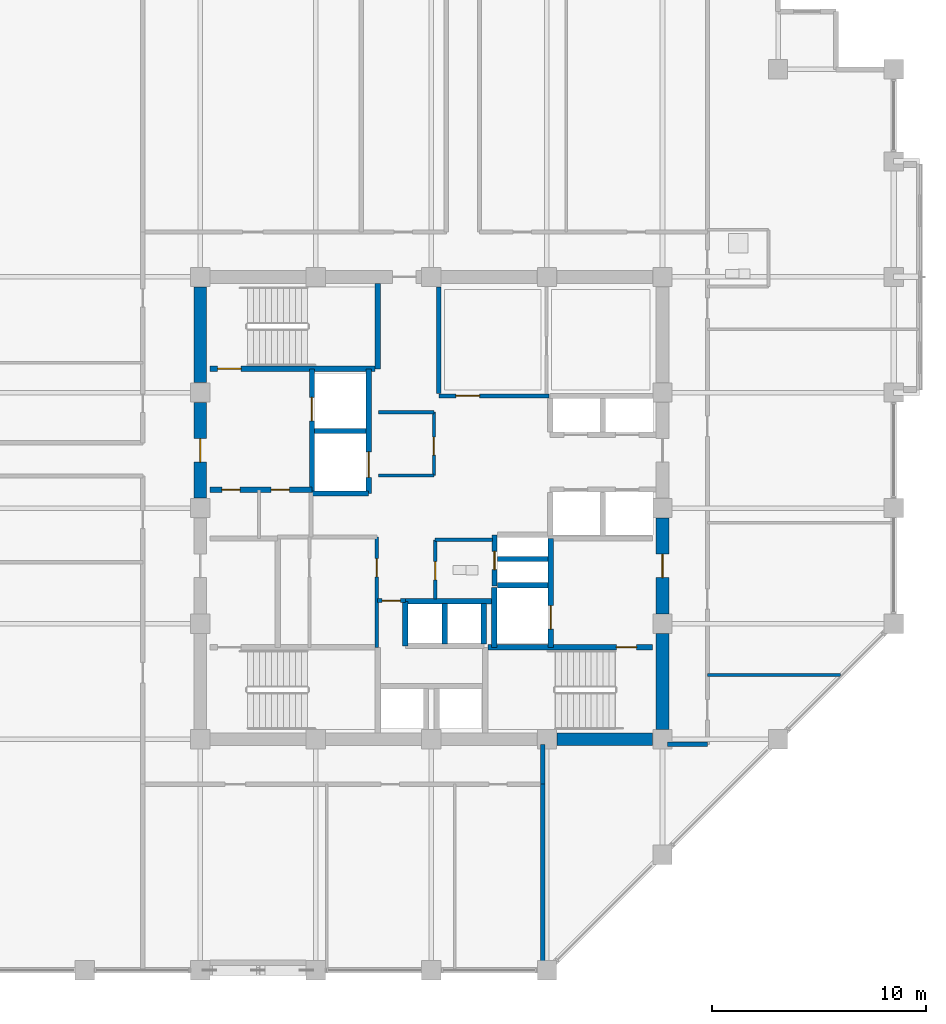
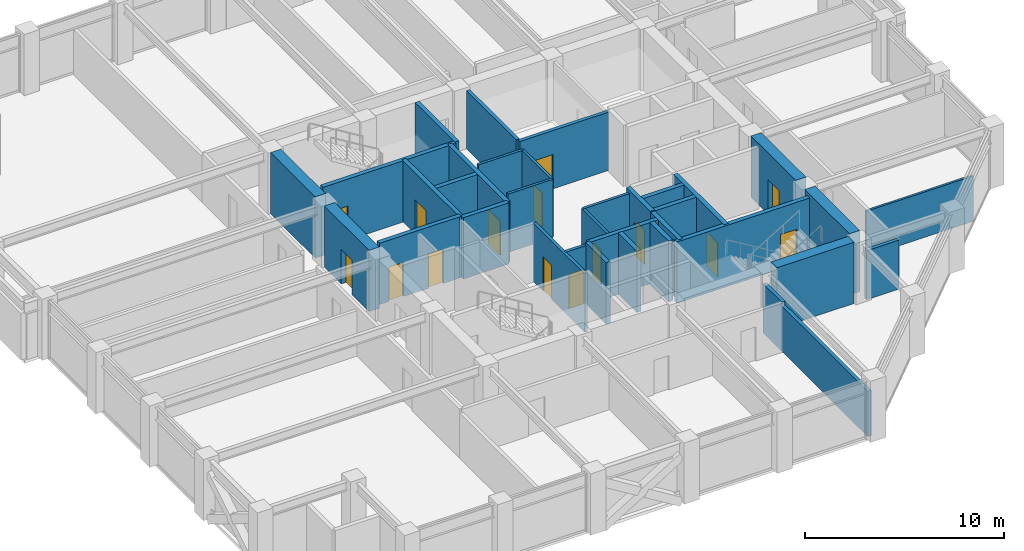
# One storey, part 27 of 32: 35 walls, 15 doors, 15 openings.
"""IFC4 building model written with IfcOpenShell, lengths in metres."""

from ifc_helpers import new_model, si_unit, direction, frame, frame_2d, origin, place, context, subcontext, project, spatial, rectangle, extrude, material, layer, layer_set, type_object, element, fill, save


model = new_model("IFC4")

# Units and contexts
model_context = context("Model", 3, precision=1e-05, world=origin(), true_north=direction((0.0, 1.0)))
body_context = subcontext(model_context, "Body", "Model", "MODEL_VIEW")
ifc_project = project(units=[si_unit("LENGTHUNIT", "METRE"), si_unit("AREAUNIT", "SQUARE_METRE"), si_unit("VOLUMEUNIT", "CUBIC_METRE"), si_unit("PLANEANGLEUNIT", "RADIAN"), si_unit("MASSUNIT", "GRAM", prefix="KILO")], contexts=[model_context])

# Site, building, storey
site_placement = place(None, origin())
site = spatial("IfcSite", under=ifc_project, at=site_placement, CompositionType="ELEMENT")
building_placement = place(site_placement, origin())
building = spatial("IfcBuilding", under=site, at=building_placement, Name="Surkhivell Harbour Commons", CompositionType="ELEMENT")
storey_placement = place(building_placement, frame((0.0, 0.0, 186.0)))
storey = spatial("IfcBuildingStorey", under=building, at=storey_placement, Name="L48", CompositionType="ELEMENT", Elevation=186.0)

# Wall
ifc_material_1 = material(Name="Concrete C60/75", Category="concrete")
ifc_layer_1 = layer(ifc_material_1, 0.60009765625)
ifc_layer_set_1 = layer_set([ifc_layer_1], Name="Concrete C60/75")
wall_type_1 = type_object("IfcWallType", Name="WAL-CORE-600", PredefinedType="SHEAR", material=ifc_layer_set_1)
wall_1_placement = place(storey_placement, frame((10.800048828125, -10.340087890625, 0.0), z_axis=(0.0, 0.0, 1.0), x_axis=(0.0, 1.0, 0.0)))
element("IfcWall", 1, at=wall_1_placement, inside=storey, type_object=wall_type_1, Name="L48 Core Shear Wall East 1", PredefinedType="SHEAR", context=body_context, shape_type="SweptSolid", body=[
    extrude(rectangle(XDim=4.47998046875, YDim=0.60009765625, at=frame_2d((2.239990234375, 0.0))), origin(), (0.0, 0.0, 1.0), 3.75),
])

# Wall, opening, door
wall_2_placement = place(storey_placement, frame((10.800048828125, -4.93994140625, 0.0), z_axis=(0.0, 0.0, 1.0), x_axis=(0.0, 1.0, 0.0)))
wall_2 = element("IfcWall", 2, at=wall_2_placement, inside=storey, type_object=wall_type_1, Name="L48 Core Shear Wall East 2", PredefinedType="SHEAR", context=body_context, shape_type="SweptSolid", body=[
    extrude(rectangle(XDim=4.47998046875, YDim=0.60009765625, at=frame_2d((2.239990234375, 0.0))), origin(), (0.0, 0.0, 1.0), 3.75),
])
opening_1_placement = place(wall_2_placement, frame((1.68994140625, 0.0, 0.0)))
opening_1 = element("IfcOpeningElement", 3, at=opening_1_placement, cuts=wall_2, Name="Opening ID-1", PredefinedType="OPENING", context=body_context, shape_type="SweptSolid", body=[
    extrude(rectangle(XDim=1.10009765625, YDim=2.10009765625, at=frame_2d((0.550048828125, 1.050048828125))), frame((0.0, 0.31005859375, 0.0), z_axis=(0.0, -1.0, 0.0), x_axis=(1.0, 0.0, 0.0)), (0.0, 0.0, 1.0), 0.6201171875),
])
ifc_material_2 = material(Name="Hardwood-veneered fire-rated door leaf", Category="wood")
door_type_1 = type_object("IfcDoorType", Name="DOR-FD120-1100", OperationType="NOTDEFINED", PredefinedType="DOOR", material=ifc_material_2)
door_1_placement = place(opening_1_placement, origin())
door_1 = element("IfcDoor", 4, at=door_1_placement, inside=storey, type_object=door_type_1, Name="L48 Firefighting Lobby 2 Corridor Door", OperationType="SINGLE_SWING_RIGHT", OverallHeight=2.10009765625, OverallWidth=1.10009765625, PredefinedType="DOOR", context=body_context, shape_type="SweptSolid", body=[
    extrude(rectangle(XDim=1.10009765625, YDim=2.10009765625, at=frame_2d((0.550048828125, 1.050048828125))), frame((0.0, 0.02490234375, 0.0), z_axis=(0.0, -1.0, 0.0), x_axis=(1.0, 0.0, 0.0)), (0.0, 0.0, 1.0), 0.050048828125),
])
fill(opening_1, door_1)

wall_3_placement = place(storey_placement, frame((-10.800048828125, 0.4599609375, 0.0), z_axis=(0.0, 0.0, 1.0), x_axis=(0.0, 1.0, 0.0)))
wall_3 = element("IfcWall", 5, at=wall_3_placement, inside=storey, type_object=wall_type_1, Name="L48 Core Shear Wall West 3", PredefinedType="SHEAR", context=body_context, shape_type="SweptSolid", body=[
    extrude(rectangle(XDim=4.47998046875, YDim=0.60009765625, at=frame_2d((2.239990234375, 0.0))), origin(), (0.0, 0.0, 1.0), 3.75),
])
opening_2_placement = place(wall_3_placement, frame((1.68994140625, 0.0, 0.0)))
opening_2 = element("IfcOpeningElement", 6, at=opening_2_placement, cuts=wall_3, Name="Opening ID-1", PredefinedType="OPENING", context=body_context, shape_type="SweptSolid", body=[
    extrude(rectangle(XDim=1.10009765625, YDim=2.10009765625, at=frame_2d((0.550048828125, 1.050048828125))), frame((0.0, 0.31005859375, 0.0), z_axis=(0.0, -1.0, 0.0), x_axis=(1.0, 0.0, 0.0)), (0.0, 0.0, 1.0), 0.6201171875),
])
door_2_placement = place(opening_2_placement, origin())
door_2 = element("IfcDoor", 7, at=door_2_placement, inside=storey, type_object=door_type_1, Name="L48 Firefighting Lobby 1 Corridor Door", OperationType="SINGLE_SWING_LEFT", OverallHeight=2.10009765625, OverallWidth=1.10009765625, PredefinedType="DOOR", context=body_context, shape_type="SweptSolid", body=[
    extrude(rectangle(XDim=1.10009765625, YDim=2.10009765625, at=frame_2d((0.550048828125, 1.050048828125))), frame((0.0, 0.02490234375, 0.0), z_axis=(0.0, -1.0, 0.0), x_axis=(1.0, 0.0, 0.0)), (0.0, 0.0, 1.0), 0.050048828125),
])
fill(opening_2, door_2)

# Walls
for number, where, z_axis, x_axis, name in (
    (8, (5.860107421875, -10.800048828125, 0.0), (0.0, 0.0, 1.0), (1.0, 0.0, 0.0), "L48 Core Shear Wall South 4"),
    (9, (-10.800048828125, 5.860107421875, 0.0), (0.0, 0.0, 1.0), (0.0, 1.0, 0.0), "L48 Core Shear Wall West 4"),
):
    element("IfcWall", number, at=place(storey_placement, frame(where, z_axis=z_axis, x_axis=x_axis)), inside=storey, type_object=wall_type_1, Name=name, PredefinedType="SHEAR", context=body_context, shape_type="SweptSolid", body=[
        extrude(rectangle(XDim=4.47998046875, YDim=0.60009765625, at=frame_2d((2.239990234375, 0.0))), origin(), (0.0, 0.0, 1.0), 3.75),
    ])
ifc_material_3 = material(Name="Moisture-resistant acoustic stud partition", Category="other")
ifc_layer_2 = layer(ifc_material_3, 0.125)
ifc_layer_set_2 = layer_set([ifc_layer_2], Name="Moisture-resistant acoustic stud partition")
wall_type_2 = type_object("IfcWallType", Name="WAL-INT-125", PredefinedType="PARTITIONING", material=ifc_layer_set_2)
wall_4_placement = place(storey_placement, frame((12.89990234375, -7.800048828125, 0.0), z_axis=(0.0, 0.0, 1.0), x_axis=(1.0, 0.0, 0.0)))
element("IfcWall", 10, at=wall_4_placement, inside=storey, type_object=wall_type_2, Name="L48 East Partition PBOT", PredefinedType="PARTITIONING", context=body_context, shape_type="SweptSolid", body=[
    extrude(rectangle(XDim=6.21533203125, YDim=0.125, at=frame_2d((3.107666015625, 0.0))), origin(), (0.0, 0.0, 1.0), 2.780029296875),
])
ifc_material_4 = material(Name="Twin-stud acoustic fireboard partition", Category="other")
ifc_layer_3 = layer(ifc_material_4, 0.14990234375)
ifc_layer_set_3 = layer_set([ifc_layer_3], Name="Twin-stud acoustic fireboard partition")
wall_type_3 = type_object("IfcWallType", Name="WAL-INT-150", PredefinedType="PARTITIONING", material=ifc_layer_set_3)
wall_5_placement = place(storey_placement, frame((0.179931640625, -1.47998046875, 0.0), z_axis=(0.0, 0.0, 1.0), x_axis=(1.0, 0.0, 0.0)))
element("IfcWall", 11, at=wall_5_placement, inside=storey, type_object=wall_type_3, Name="L48 Core Accessible WC North Wall", PredefinedType="PARTITIONING", context=body_context, shape_type="SweptSolid", body=[
    extrude(rectangle(XDim=2.670166015625, YDim=0.14990234375, at=frame_2d((1.3349609375, 0.0))), origin(), (0.0, 0.0, 1.0), 3.570068359375),
])

# Wall, opening, door
wall_6_placement = place(storey_placement, frame((0.179931640625, -4.25, 0.0), z_axis=(0.0, 0.0, 1.0), x_axis=(0.0, 1.0, 0.0)))
wall_6 = element("IfcWall", 12, at=wall_6_placement, inside=storey, type_object=wall_type_3, Name="L48 Core Accessible WC West Wall", PredefinedType="PARTITIONING", context=body_context, shape_type="SweptSolid", body=[
    extrude(rectangle(XDim=2.77001953125, YDim=0.14990234375, at=frame_2d((1.385009765625, 0.0))), origin(), (0.0, 0.0, 1.0), 3.570068359375),
])
opening_3_placement = place(wall_6_placement, frame((0.89990234375, 0.0, 0.0)))
opening_3 = element("IfcOpeningElement", 13, at=opening_3_placement, cuts=wall_6, Name="Opening ID-6", PredefinedType="OPENING", context=body_context, shape_type="SweptSolid", body=[
    extrude(rectangle(XDim=0.85009765625, YDim=2.10009765625, at=frame_2d((0.425048828125, 1.050048828125))), frame((0.0, 0.0849609375, 0.0), z_axis=(0.0, -1.0, 0.0), x_axis=(1.0, 0.0, 0.0)), (0.0, 0.0, 1.0), 0.169921875),
])
door_type_2 = type_object("IfcDoorType", Name="DOR-FD30-850", OperationType="NOTDEFINED", PredefinedType="DOOR", material=ifc_material_2)
door_3_placement = place(opening_3_placement, origin())
door_3 = element("IfcDoor", 14, at=door_3_placement, inside=storey, type_object=door_type_2, Name="L48 Floor Accessible WC Door", OperationType="SINGLE_SWING_LEFT", OverallHeight=2.10009765625, OverallWidth=0.85009765625, PredefinedType="DOOR", context=body_context, shape_type="SweptSolid", body=[
    extrude(rectangle(XDim=0.85009765625, YDim=2.10009765625, at=frame_2d((0.425048828125, 1.050048828125))), frame((0.0, 0.02490234375, 0.0), z_axis=(0.0, -1.0, 0.0), x_axis=(1.0, 0.0, 0.0)), (0.0, 0.0, 1.0), 0.050048828125),
])
fill(opening_3, door_3)

wall_7_placement = place(storey_placement, frame((0.1201171875, 1.52001953125, 0.0), z_axis=(0.0, 0.0, 1.0), x_axis=(0.0, 1.0, 0.0)))
wall_7 = element("IfcWall", 15, at=wall_7_placement, inside=storey, type_object=wall_type_3, Name="L48 Central Reading East Wall", PredefinedType="PARTITIONING", context=body_context, shape_type="SweptSolid", body=[
    extrude(rectangle(XDim=2.9599609375, YDim=0.14990234375, at=frame_2d((1.47998046875, 0.0))), origin(), (0.0, 0.0, 1.0), 3.570068359375),
])
opening_4_placement = place(wall_7_placement, frame((0.949951171875, 0.0, 0.0)))
opening_4 = element("IfcOpeningElement", 16, at=opening_4_placement, cuts=wall_7, Name="Opening ID-6", PredefinedType="OPENING", context=body_context, shape_type="SweptSolid", body=[
    extrude(rectangle(XDim=0.85009765625, YDim=2.10009765625, at=frame_2d((0.425048828125, 1.050048828125))), frame((0.0, 0.0849609375, 0.0), z_axis=(0.0, -1.0, 0.0), x_axis=(1.0, 0.0, 0.0)), (0.0, 0.0, 1.0), 0.169921875),
])
door_4_placement = place(opening_4_placement, origin())
door_4 = element("IfcDoor", 17, at=door_4_placement, inside=storey, type_object=door_type_2, Name="L48 Central Core Reading Door", OperationType="SINGLE_SWING_RIGHT", OverallHeight=2.10009765625, OverallWidth=0.85009765625, PredefinedType="DOOR", context=body_context, shape_type="SweptSolid", body=[
    extrude(rectangle(XDim=0.85009765625, YDim=2.10009765625, at=frame_2d((0.425048828125, 1.050048828125))), frame((0.0, 0.02490234375, 0.0), z_axis=(0.0, -1.0, 0.0), x_axis=(1.0, 0.0, 0.0)), (0.0, 0.0, 1.0), 0.050048828125),
])
fill(opening_4, door_4)

# Walls
for number, where, z_axis, x_axis, name in (
    (18, (-2.47998046875, 4.47998046875, 0.0), (0.0, 0.0, 1.0), (1.0, 0.0, 0.0), "L48 Central Reading North Wall"),
    (19, (-2.47998046875, 1.52001953125, 0.0), (0.0, 0.0, 1.0), (1.0, 0.0, 0.0), "L48 Central Reading South Wall"),
):
    element("IfcWall", number, at=place(storey_placement, frame(where, z_axis=z_axis, x_axis=x_axis)), inside=storey, type_object=wall_type_3, Name=name, PredefinedType="PARTITIONING", context=body_context, shape_type="SweptSolid", body=[
        extrude(rectangle(XDim=2.60009765625, YDim=0.14990234375, at=frame_2d((1.300048828125, 0.0))), origin(), (0.0, 0.0, 1.0), 3.570068359375),
    ])

# Wall, opening, door
ifc_material_5 = material(Name="High-density acoustic blockwork fire partition", Category="masonry")
ifc_layer_4 = layer(ifc_material_5, 0.175048828125)
ifc_layer_set_4 = layer_set([ifc_layer_4], Name="High-density acoustic blockwork fire partition")
wall_type_4 = type_object("IfcWallType", Name="WAL-INT-175", PredefinedType="PARTITIONING", material=ifc_layer_set_4)
wall_8_placement = place(storey_placement, frame((-2.550048828125, -6.510009765625, 0.0), z_axis=(0.0, 0.0, 1.0), x_axis=(0.0, 1.0, 0.0)))
wall_8 = element("IfcWall", 20, at=wall_8_placement, inside=storey, type_object=wall_type_4, Name="L48 Core Service Bay East Wall", PredefinedType="PARTITIONING", context=body_context, shape_type="SweptSolid", body=[
    extrude(rectangle(XDim=5.159912109375, YDim=0.175048828125, at=frame_2d((2.580078125, 0.0))), origin(), (0.0, 0.0, 1.0), 3.570068359375),
])
opening_5_placement = place(wall_8_placement, frame((3.300048828125, 0.0, 0.0)))
opening_5 = element("IfcOpeningElement", 21, at=opening_5_placement, cuts=wall_8, Name="Opening ID-6", PredefinedType="OPENING", context=body_context, shape_type="SweptSolid", body=[
    extrude(rectangle(XDim=0.85009765625, YDim=2.10009765625, at=frame_2d((0.425048828125, 1.050048828125))), frame((0.0, 0.097412109375, 0.0), z_axis=(0.0, -1.0, 0.0), x_axis=(1.0, 0.0, 0.0)), (0.0, 0.0, 1.0), 0.195068359375),
])
door_5_placement = place(opening_5_placement, origin())
door_5 = element("IfcDoor", 22, at=door_5_placement, inside=storey, type_object=door_type_2, Name="L48 Core Music Door", OperationType="SINGLE_SWING_LEFT", OverallHeight=2.10009765625, OverallWidth=0.85009765625, PredefinedType="DOOR", context=body_context, shape_type="SweptSolid", body=[
    extrude(rectangle(XDim=0.85009765625, YDim=2.10009765625, at=frame_2d((0.425048828125, 1.050048828125))), frame((0.0, 0.02490234375, 0.0), z_axis=(0.0, -1.0, 0.0), x_axis=(1.0, 0.0, 0.0)), (0.0, 0.0, 1.0), 0.050048828125),
])
fill(opening_5, door_5)

wall_9_placement = place(storey_placement, frame((-2.52001953125, -4.320068359375, 0.0), z_axis=(0.0, 0.0, 1.0), x_axis=(1.0, 0.0, 0.0)))
wall_9 = element("IfcWall", 23, at=wall_9_placement, inside=storey, type_object=wall_type_4, Name="L48 High-Rise Lobby North Portal Wall", PredefinedType="PARTITIONING", context=body_context, shape_type="SweptSolid", body=[
    extrude(rectangle(XDim=1.300048828125, YDim=0.175048828125, at=frame_2d((0.64990234375, 0.0))), origin(), (0.0, 0.0, 1.0), 3.570068359375),
])
opening_6_placement = place(wall_9_placement, frame((0.219970703125, 0.0, 0.0)))
opening_6 = element("IfcOpeningElement", 24, at=opening_6_placement, cuts=wall_9, Name="Opening ID-6", PredefinedType="OPENING", context=body_context, shape_type="SweptSolid", body=[
    extrude(rectangle(XDim=0.85009765625, YDim=2.10009765625, at=frame_2d((0.425048828125, 1.050048828125))), frame((0.0, 0.097412109375, 0.0), z_axis=(0.0, -1.0, 0.0), x_axis=(1.0, 0.0, 0.0)), (0.0, 0.0, 1.0), 0.195068359375),
])
door_6_placement = place(opening_6_placement, origin())
door_6 = element("IfcDoor", 25, at=door_6_placement, inside=storey, type_object=door_type_2, Name="L48 High-Rise Lift Lobby North Door", OperationType="SINGLE_SWING_LEFT", OverallHeight=2.10009765625, OverallWidth=0.85009765625, PredefinedType="DOOR", context=body_context, shape_type="SweptSolid", body=[
    extrude(rectangle(XDim=0.85009765625, YDim=2.10009765625, at=frame_2d((0.425048828125, 1.050048828125))), frame((0.0, 0.02490234375, 0.0), z_axis=(0.0, -1.0, 0.0), x_axis=(1.0, 0.0, 0.0)), (0.0, 0.0, 1.0), 0.050048828125),
])
fill(opening_6, door_6)

ifc_material_6 = material(Name="Autoclaved aerated concrete blockwork and fire plaster", Category="masonry")
ifc_layer_5 = layer(ifc_material_6, 0.199951171875)
ifc_layer_set_5 = layer_set([ifc_layer_5], Name="Autoclaved aerated concrete blockwork and fire plaster")
wall_type_5 = type_object("IfcWallType", Name="WAL-INT-200", PredefinedType="PARTITIONING", material=ifc_layer_set_5)
wall_10_placement = place(storey_placement, frame((0.35009765625, 5.239990234375, 0.0), z_axis=(0.0, 0.0, 1.0), x_axis=(1.0, 0.0, 0.0)))
wall_10 = element("IfcWall", 26, at=wall_10_placement, inside=storey, type_object=wall_type_5, Name="L48 Reclaimed Core North Bay South Wall", PredefinedType="PARTITIONING", context=body_context, shape_type="SweptSolid", body=[
    extrude(rectangle(XDim=5.14990234375, YDim=0.199951171875, at=frame_2d((2.574951171875, 0.0))), origin(), (0.0, 0.0, 1.0), 3.570068359375),
])
opening_7_placement = place(wall_10_placement, frame((0.800048828125, 0.0, 0.0)))
opening_7 = element("IfcOpeningElement", 27, at=opening_7_placement, cuts=wall_10, Name="Opening ID-2", PredefinedType="OPENING", context=body_context, shape_type="SweptSolid", body=[
    extrude(rectangle(XDim=1.10009765625, YDim=2.10009765625, at=frame_2d((0.550048828125, 1.050048828125))), frame((0.0, 0.10986328125, 0.0), z_axis=(0.0, -1.0, 0.0), x_axis=(1.0, 0.0, 0.0)), (0.0, 0.0, 1.0), 0.219970703125),
])
door_type_3 = type_object("IfcDoorType", Name="DOR-FD60-1100", OperationType="NOTDEFINED", PredefinedType="DOOR", material=ifc_material_2)
door_7_placement = place(opening_7_placement, origin())
door_7 = element("IfcDoor", 28, at=door_7_placement, inside=storey, type_object=door_type_3, Name="L48 Core Study Door", OperationType="SINGLE_SWING_LEFT", OverallHeight=2.10009765625, OverallWidth=1.10009765625, PredefinedType="DOOR", context=body_context, shape_type="SweptSolid", body=[
    extrude(rectangle(XDim=1.10009765625, YDim=2.10009765625, at=frame_2d((0.550048828125, 1.050048828125))), frame((0.0, 0.02490234375, 0.0), z_axis=(0.0, -1.0, 0.0), x_axis=(1.0, 0.0, 0.0)), (0.0, 0.0, 1.0), 0.050048828125),
])
fill(opening_7, door_7)

# Walls
wall_11_placement = place(storey_placement, frame((0.35009765625, 5.360107421875, 0.0), z_axis=(0.0, 0.0, 1.0), x_axis=(0.0, 1.0, 0.0)))
element("IfcWall", 29, at=wall_11_placement, inside=storey, type_object=wall_type_5, Name="L48 Reclaimed Core North Bay West Wall", PredefinedType="PARTITIONING", context=body_context, shape_type="SweptSolid", body=[
    extrude(rectangle(XDim=4.97998046875, YDim=0.199951171875, at=frame_2d((2.489990234375, 0.0))), origin(), (0.0, 0.0, 1.0), 3.570068359375),
])
wall_12_placement = place(storey_placement, frame((5.199951171875, -21.5400390625, 0.0), z_axis=(0.0, 0.0, 1.0), x_axis=(0.0, 1.0, 0.0)))
element("IfcWall", 30, at=wall_12_placement, inside=storey, type_object=wall_type_5, Name="L48 South-East Corner Wall", PredefinedType="PARTITIONING", context=body_context, shape_type="SweptSolid", body=[
    extrude(rectangle(XDim=8.64013671875, YDim=0.199951171875, at=frame_2d((4.320068359375, 0.0))), origin(), (0.0, 0.0, 1.0), 2.780029296875),
])
for number, where, z_axis, x_axis, name in (
    (31, (11.0400390625, -11.0400390625, 0.0), (0.0, 0.0, 1.0), (1.0, 0.0, 0.0), "L48 Corridor East South Closure Wall"),
    (32, (5.199951171875, -12.89990234375, 0.0), (0.0, 0.0, 1.0), (0.0, 1.0, 0.0), "L48 Corridor South End Wall"),
):
    element("IfcWall", number, at=place(storey_placement, frame(where, z_axis=z_axis, x_axis=x_axis)), inside=storey, type_object=wall_type_5, Name=name, PredefinedType="PARTITIONING", context=body_context, shape_type="SweptSolid", body=[
        extrude(rectangle(XDim=1.85986328125, YDim=0.199951171875, at=frame_2d((0.929931640625, 0.0))), origin(), (0.0, 0.0, 1.0), 3.006103515625),
    ])

# Wall, opening, door
ifc_material_7 = material(Name="Concrete C50/60", Category="concrete")
ifc_layer_6 = layer(ifc_material_7, 0.25)
ifc_layer_set_6 = layer_set([ifc_layer_6], Name="Concrete C50/60")
wall_type_6 = type_object("IfcWallType", Name="WAL-SHAFT-250", PredefinedType="SHEAR", material=ifc_layer_set_6)
wall_13_placement = place(storey_placement, frame((-5.580078125, 0.719970703125, 0.0), z_axis=(0.0, 0.0, 1.0), x_axis=(0.0, 1.0, 0.0)))
wall_13 = element("IfcWall", 33, at=wall_13_placement, inside=storey, type_object=wall_type_6, Name="L48 Firefighting Lobby 1 East Shaft Wall", PredefinedType="SHEAR", context=body_context, shape_type="SweptSolid", body=[
    extrude(rectangle(XDim=5.7900390625, YDim=0.25, at=frame_2d((2.89501953125, 0.0))), origin(), (0.0, 0.0, 1.0), 3.75),
])
opening_8_placement = place(wall_13_placement, frame((3.35009765625, 0.0, 0.0)))
opening_8 = element("IfcOpeningElement", 34, at=opening_8_placement, cuts=wall_13, Name="Opening LD-1", PredefinedType="OPENING", context=body_context, shape_type="SweptSolid", body=[
    extrude(rectangle(XDim=1.10009765625, YDim=2.10009765625, at=frame_2d((0.550048828125, 1.050048828125))), frame((0.0, 0.135009765625, 0.0), z_axis=(0.0, -1.0, 0.0), x_axis=(1.0, 0.0, 0.0)), (0.0, 0.0, 1.0), 0.27001953125),
])
ifc_material_8 = material(Name="Brushed stainless steel S355", Category="steel")
door_type_4 = type_object("IfcDoorType", Name="DOR-LD-1100", OperationType="SLIDING_TO_LEFT", PredefinedType="DOOR", material=ifc_material_8)
door_8_placement = place(opening_8_placement, origin())
door_8 = element("IfcDoor", 35, at=door_8_placement, inside=storey, type_object=door_type_4, Name="L48 Lift Landing Door LD-FFL1", OperationType="SLIDING_TO_LEFT", OverallHeight=2.10009765625, OverallWidth=1.10009765625, PredefinedType="DOOR", context=body_context, shape_type="SweptSolid", body=[
    extrude(rectangle(XDim=1.10009765625, YDim=2.10009765625, at=frame_2d((0.550048828125, 1.050048828125))), frame((0.0, 0.02490234375, 0.0), z_axis=(0.0, -1.0, 0.0), x_axis=(1.0, 0.0, 0.0)), (0.0, 0.0, 1.0), 0.050048828125),
])
fill(opening_8, door_8)

# Wall, openings, doors
wall_14_placement = place(storey_placement, frame((-10.340087890625, 0.85009765625, 0.0), z_axis=(0.0, 0.0, 1.0), x_axis=(1.0, 0.0, 0.0)))
wall_14 = element("IfcWall", 36, at=wall_14_placement, inside=storey, type_object=wall_type_6, Name="L48 Firefighting Lobby 1 South Wall", PredefinedType="SHEAR", context=body_context, shape_type="SweptSolid", body=[
    extrude(rectangle(XDim=4.760009765625, YDim=0.25, at=frame_2d((2.3798828125, 0.0))), origin(), (0.0, 0.0, 1.0), 3.75),
])
opening_9_placement = place(wall_14_placement, frame((0.550048828125, 0.0, 0.0)))
opening_9 = element("IfcOpeningElement", 37, at=opening_9_placement, cuts=wall_14, Name="Opening ID-6", PredefinedType="OPENING", context=body_context, shape_type="SweptSolid", body=[
    extrude(rectangle(XDim=0.85009765625, YDim=2.10009765625, at=frame_2d((0.425048828125, 1.050048828125))), frame((0.0, 0.135009765625, 0.0), z_axis=(0.0, -1.0, 0.0), x_axis=(1.0, 0.0, 0.0)), (0.0, 0.0, 1.0), 0.27001953125),
])
opening_10_placement = place(wall_14_placement, frame((2.85009765625, 0.0, 0.0)))
opening_10 = element("IfcOpeningElement", 38, at=opening_10_placement, cuts=wall_14, Name="Opening ID-6", PredefinedType="OPENING", context=body_context, shape_type="SweptSolid", body=[
    extrude(rectangle(XDim=0.85009765625, YDim=2.10009765625, at=frame_2d((0.425048828125, 1.050048828125))), frame((0.0, 0.135009765625, 0.0), z_axis=(0.0, -1.0, 0.0), x_axis=(1.0, 0.0, 0.0)), (0.0, 0.0, 1.0), 0.27001953125),
])
door_9_placement = place(opening_9_placement, origin())
door_9 = element("IfcDoor", 39, at=door_9_placement, inside=storey, type_object=door_type_2, Name="L48 West Seminar 1 Door", OperationType="SINGLE_SWING_LEFT", OverallHeight=2.10009765625, OverallWidth=0.85009765625, PredefinedType="DOOR", context=body_context, shape_type="SweptSolid", body=[
    extrude(rectangle(XDim=0.85009765625, YDim=2.10009765625, at=frame_2d((0.425048828125, 1.050048828125))), frame((0.0, 0.02490234375, 0.0), z_axis=(0.0, -1.0, 0.0), x_axis=(1.0, 0.0, 0.0)), (0.0, 0.0, 1.0), 0.050048828125),
])
fill(opening_9, door_9)
door_10_placement = place(opening_10_placement, origin())
door_10 = element("IfcDoor", 40, at=door_10_placement, inside=storey, type_object=door_type_2, Name="L48 West Seminar 2 Door", OperationType="SINGLE_SWING_RIGHT", OverallHeight=2.10009765625, OverallWidth=0.85009765625, PredefinedType="DOOR", context=body_context, shape_type="SweptSolid", body=[
    extrude(rectangle(XDim=0.85009765625, YDim=2.10009765625, at=frame_2d((0.425048828125, 1.050048828125))), frame((0.0, 0.02490234375, 0.0), z_axis=(0.0, -1.0, 0.0), x_axis=(1.0, 0.0, 0.0)), (0.0, 0.0, 1.0), 0.050048828125),
])
fill(opening_10, door_10)

# Walls
wall_15_placement = place(storey_placement, frame((2.929931640625, -6.510009765625, 0.0), z_axis=(0.0, 0.0, 1.0), x_axis=(0.0, 1.0, 0.0)))
element("IfcWall", 41, at=wall_15_placement, inside=storey, type_object=wall_type_6, Name="L48 FFL2 West Shaft Wall", PredefinedType="SHEAR", context=body_context, shape_type="SweptSolid", body=[
    extrude(rectangle(XDim=2.7900390625, YDim=0.25, at=frame_2d((1.39501953125, 0.0))), origin(), (0.0, 0.0, 1.0), 3.75),
])
wall_16_placement = place(storey_placement, frame((3.080078125, -3.60009765625, 0.0), z_axis=(0.0, 0.0, 1.0), x_axis=(1.0, 0.0, 0.0)))
element("IfcWall", 42, at=wall_16_placement, inside=storey, type_object=wall_type_6, Name="L48 FFL2 North Shaft Wall", PredefinedType="SHEAR", context=body_context, shape_type="SweptSolid", body=[
    extrude(rectangle(XDim=2.369873046875, YDim=0.25, at=frame_2d((1.18505859375, 0.0))), origin(), (0.0, 0.0, 1.0), 3.75),
])

# Wall, opening, door
wall_17_placement = place(storey_placement, frame((5.580078125, -6.510009765625, 0.0), z_axis=(0.0, 0.0, 1.0), x_axis=(0.0, 1.0, 0.0)))
wall_17 = element("IfcWall", 43, at=wall_17_placement, inside=storey, type_object=wall_type_6, Name="L48 Firefighting Lobby 2 West Shaft Wall", PredefinedType="SHEAR", context=body_context, shape_type="SweptSolid", body=[
    extrude(rectangle(XDim=5.090087890625, YDim=0.25, at=frame_2d((2.544921875, 0.0))), origin(), (0.0, 0.0, 1.0), 3.75),
])
opening_11_placement = place(wall_17_placement, frame((0.85009765625, 0.0, 0.0)))
opening_11 = element("IfcOpeningElement", 44, at=opening_11_placement, cuts=wall_17, Name="Opening LD-1", PredefinedType="OPENING", context=body_context, shape_type="SweptSolid", body=[
    extrude(rectangle(XDim=1.10009765625, YDim=2.10009765625, at=frame_2d((0.550048828125, 1.050048828125))), frame((0.0, 0.135009765625, 0.0), z_axis=(0.0, -1.0, 0.0), x_axis=(1.0, 0.0, 0.0)), (0.0, 0.0, 1.0), 0.27001953125),
])
door_11_placement = place(opening_11_placement, origin())
door_11 = element("IfcDoor", 45, at=door_11_placement, inside=storey, type_object=door_type_4, Name="L48 Lift Landing Door LD-FFL2", OperationType="SLIDING_TO_RIGHT", OverallHeight=2.10009765625, OverallWidth=1.10009765625, PredefinedType="DOOR", context=body_context, shape_type="SweptSolid", body=[
    extrude(rectangle(XDim=1.10009765625, YDim=2.10009765625, at=frame_2d((0.550048828125, 1.050048828125))), frame((0.0, 0.02490234375, 0.0), z_axis=(0.0, -1.0, 0.0), x_axis=(1.0, 0.0, 0.0)), (0.0, 0.0, 1.0), 0.050048828125),
])
fill(opening_11, door_11)

# Walls
for number, where, z_axis, x_axis, name in (
    (46, (0.6201171875, -6.340087890625, 0.0), (0.0, 0.0, 1.0), (0.0, 1.0, 0.0), "L48 High-Rise Side Wall N"),
    (47, (2.449951171875, -6.340087890625, 0.0), (0.0, 0.0, 1.0), (0.0, 1.0, 0.0), "L48 High-Rise Side Wall N"),
):
    element("IfcWall", number, at=place(storey_placement, frame(where, z_axis=z_axis, x_axis=x_axis)), inside=storey, type_object=wall_type_6, Name=name, PredefinedType="SHEAR", context=body_context, shape_type="SweptSolid", body=[
        extrude(rectangle(XDim=1.880126953125, YDim=0.25, at=frame_2d((0.93994140625, 0.0))), origin(), (0.0, 0.0, 1.0), 3.75),
    ])
wall_18_placement = place(storey_placement, frame((-1.219970703125, -6.43994140625, 0.0), z_axis=(0.0, 0.0, 1.0), x_axis=(0.0, 1.0, 0.0)))
element("IfcWall", 48, at=wall_18_placement, inside=storey, type_object=wall_type_6, Name="L48 High-Rise Passage East Shaft Wall", PredefinedType="SHEAR", context=body_context, shape_type="SweptSolid", body=[
    extrude(rectangle(XDim=2.079833984375, YDim=0.25, at=frame_2d((1.0400390625, 0.0))), origin(), (0.0, 0.0, 1.0), 3.75),
])
wall_19_placement = place(storey_placement, frame((-1.219970703125, -4.360107421875, 0.0), z_axis=(0.0, 0.0, 1.0), x_axis=(1.0, 0.0, 0.0)))
element("IfcWall", 49, at=wall_19_placement, inside=storey, type_object=wall_type_6, Name="L48 High-Rise North Back Shaft Wall", PredefinedType="SHEAR", context=body_context, shape_type="SweptSolid", body=[
    extrude(rectangle(XDim=4.030029296875, YDim=0.25, at=frame_2d((2.01513671875, 0.0))), origin(), (0.0, 0.0, 1.0), 3.75),
])
wall_20_placement = place(storey_placement, frame((3.080078125, -2.3798828125, 0.0), z_axis=(0.0, 0.0, 1.0), x_axis=(1.0, 0.0, 0.0)))
element("IfcWall", 50, at=wall_20_placement, inside=storey, type_object=wall_type_6, Name="L48 Riser Divider Wall", PredefinedType="SHEAR", context=body_context, shape_type="SweptSolid", body=[
    extrude(rectangle(XDim=2.369873046875, YDim=0.25, at=frame_2d((1.18505859375, 0.0))), origin(), (0.0, 0.0, 1.0), 3.75),
])

# Wall, opening, door
wall_21_placement = place(storey_placement, frame((2.949951171875, -3.64990234375, 0.0), z_axis=(0.0, 0.0, 1.0), x_axis=(0.0, 1.0, 0.0)))
wall_21 = element("IfcWall", 51, at=wall_21_placement, inside=storey, type_object=wall_type_6, Name="L48 Riser Shaft West Wall", PredefinedType="SHEAR", context=body_context, shape_type="SweptSolid", body=[
    extrude(rectangle(XDim=2.39990234375, YDim=0.25, at=frame_2d((1.199951171875, 0.0))), origin(), (0.0, 0.0, 1.0), 3.75),
])
opening_12_placement = place(wall_21_placement, frame((0.77490234375, 0.0, 0.0)))
opening_12 = element("IfcOpeningElement", 52, at=opening_12_placement, cuts=wall_21, Name="Opening ID-6", PredefinedType="OPENING", context=body_context, shape_type="SweptSolid", body=[
    extrude(rectangle(XDim=0.85009765625, YDim=2.10009765625, at=frame_2d((0.425048828125, 1.050048828125))), frame((0.0, 0.135009765625, 0.0), z_axis=(0.0, -1.0, 0.0), x_axis=(1.0, 0.0, 0.0)), (0.0, 0.0, 1.0), 0.27001953125),
])
door_12_placement = place(opening_12_placement, origin())
door_12 = element("IfcDoor", 53, at=door_12_placement, inside=storey, type_object=door_type_2, Name="L48 Electrical Riser Access Door", OperationType="SINGLE_SWING_LEFT", OverallHeight=2.10009765625, OverallWidth=0.85009765625, PredefinedType="DOOR", context=body_context, shape_type="SweptSolid", body=[
    extrude(rectangle(XDim=0.85009765625, YDim=2.10009765625, at=frame_2d((0.425048828125, 1.050048828125))), frame((0.0, 0.02490234375, 0.0), z_axis=(0.0, -1.0, 0.0), x_axis=(1.0, 0.0, 0.0)), (0.0, 0.0, 1.0), 0.050048828125),
])
fill(opening_12, door_12)

# Wall
wall_22_placement = place(storey_placement, frame((-2.510009765625, 6.510009765625, 0.0), z_axis=(0.0, 0.0, 1.0), x_axis=(0.0, 1.0, 0.0)))
element("IfcWall", 54, at=wall_22_placement, inside=storey, type_object=wall_type_6, Name="L48 Stair ST1 East Shear Wall", PredefinedType="SHEAR", context=body_context, shape_type="SweptSolid", body=[
    extrude(rectangle(XDim=3.989990234375, YDim=0.25, at=frame_2d((1.9951171875, 0.0))), origin(), (0.0, 0.0, 1.0), 3.75),
])

# Wall, opening, door
wall_23_placement = place(storey_placement, frame((-10.340087890625, 6.510009765625, 0.0), z_axis=(0.0, 0.0, 1.0), x_axis=(1.0, 0.0, 0.0)))
wall_23 = element("IfcWall", 55, at=wall_23_placement, inside=storey, type_object=wall_type_6, Name="L48 Stair ST1 South Shear Wall", PredefinedType="SHEAR", context=body_context, shape_type="SweptSolid", body=[
    extrude(rectangle(XDim=7.7001953125, YDim=0.25, at=frame_2d((3.85009765625, 0.0))), origin(), (0.0, 0.0, 1.0), 3.75),
])
opening_13_placement = place(wall_23_placement, frame((0.35009765625, 0.0, 0.0)))
opening_13 = element("IfcOpeningElement", 56, at=opening_13_placement, cuts=wall_23, Name="Opening ID-2", PredefinedType="OPENING", context=body_context, shape_type="SweptSolid", body=[
    extrude(rectangle(XDim=1.10009765625, YDim=2.10009765625, at=frame_2d((0.550048828125, 1.050048828125))), frame((0.0, 0.135009765625, 0.0), z_axis=(0.0, -1.0, 0.0), x_axis=(1.0, 0.0, 0.0)), (0.0, 0.0, 1.0), 0.27001953125),
])
door_13_placement = place(opening_13_placement, origin())
door_13 = element("IfcDoor", 57, at=door_13_placement, inside=storey, type_object=door_type_3, Name="L48 Stair ST1 Exit Door", OperationType="SINGLE_SWING_LEFT", OverallHeight=2.10009765625, OverallWidth=1.10009765625, PredefinedType="DOOR", context=body_context, shape_type="SweptSolid", body=[
    extrude(rectangle(XDim=1.10009765625, YDim=2.10009765625, at=frame_2d((0.550048828125, 1.050048828125))), frame((0.0, 0.02490234375, 0.0), z_axis=(0.0, -1.0, 0.0), x_axis=(1.0, 0.0, 0.0)), (0.0, 0.0, 1.0), 0.050048828125),
])
fill(opening_13, door_13)

wall_24_placement = place(storey_placement, frame((2.639892578125, -6.510009765625, 0.0), z_axis=(0.0, 0.0, 1.0), x_axis=(1.0, 0.0, 0.0)))
wall_24 = element("IfcWall", 58, at=wall_24_placement, inside=storey, type_object=wall_type_6, Name="L48 Stair ST2 North Shear Wall", PredefinedType="SHEAR", context=body_context, shape_type="SweptSolid", body=[
    extrude(rectangle(XDim=7.7001953125, YDim=0.25, at=frame_2d((3.85009765625, 0.0))), origin(), (0.0, 0.0, 1.0), 3.75),
])
opening_14_placement = place(wall_24_placement, frame((6.0, 0.0, 0.0)))
opening_14 = element("IfcOpeningElement", 59, at=opening_14_placement, cuts=wall_24, Name="Opening ID-4", PredefinedType="OPENING", context=body_context, shape_type="SweptSolid", body=[
    extrude(rectangle(XDim=0.949951171875, YDim=2.10009765625, at=frame_2d((0.47509765625, 1.050048828125))), frame((0.0, 0.135009765625, 0.0), z_axis=(0.0, -1.0, 0.0), x_axis=(1.0, 0.0, 0.0)), (0.0, 0.0, 1.0), 0.27001953125),
])
door_type_5 = type_object("IfcDoorType", Name="DOR-FD60-950", OperationType="NOTDEFINED", PredefinedType="DOOR", material=ifc_material_2)
door_14_placement = place(opening_14_placement, origin())
door_14 = element("IfcDoor", 60, at=door_14_placement, inside=storey, type_object=door_type_5, Name="L48 Stair ST2 Exit Door", OperationType="SINGLE_SWING_RIGHT", OverallHeight=2.10009765625, OverallWidth=0.949951171875, PredefinedType="DOOR", context=body_context, shape_type="SweptSolid", body=[
    extrude(rectangle(XDim=0.949951171875, YDim=2.10009765625, at=frame_2d((0.47509765625, 1.050048828125))), frame((0.0, 0.02490234375, 0.0), z_axis=(0.0, -1.0, 0.0), x_axis=(1.0, 0.0, 0.0)), (0.0, 0.0, 1.0), 0.050048828125),
])
fill(opening_14, door_14)

wall_25_placement = place(storey_placement, frame((-2.929931640625, 0.679931640625, 0.0), z_axis=(0.0, 0.0, 1.0), x_axis=(0.0, 1.0, 0.0)))
wall_25 = element("IfcWall", 61, at=wall_25_placement, inside=storey, type_object=wall_type_6, Name="L48 Service and Fire Lift East Shaft Wall", PredefinedType="SHEAR", context=body_context, shape_type="SweptSolid", body=[
    extrude(rectangle(XDim=5.830078125, YDim=0.25, at=frame_2d((2.9150390625, 0.0))), origin(), (0.0, 0.0, 1.0), 3.75),
])
opening_15_placement = place(wall_25_placement, frame((0.75, 0.0, 0.0)))
opening_15 = element("IfcOpeningElement", 62, at=opening_15_placement, cuts=wall_25, Name="Opening LD-2", PredefinedType="OPENING", context=body_context, shape_type="SweptSolid", body=[
    extrude(rectangle(XDim=1.199951171875, YDim=2.10009765625, at=frame_2d((0.60009765625, 1.050048828125))), frame((0.0, 0.135009765625, 0.0), z_axis=(0.0, -1.0, 0.0), x_axis=(1.0, 0.0, 0.0)), (0.0, 0.0, 1.0), 0.27001953125),
])
door_type_6 = type_object("IfcDoorType", Name="DOR-LD-1200", OperationType="SLIDING_TO_LEFT", PredefinedType="DOOR", material=ifc_material_8)
door_15_placement = place(opening_15_placement, origin())
door_15 = element("IfcDoor", 63, at=door_15_placement, inside=storey, type_object=door_type_6, Name="L48 Lift Landing Door LD-SVL1", OperationType="SLIDING_TO_LEFT", OverallHeight=2.10009765625, OverallWidth=1.199951171875, PredefinedType="DOOR", context=body_context, shape_type="SweptSolid", body=[
    extrude(rectangle(XDim=1.199951171875, YDim=2.10009765625, at=frame_2d((0.60009765625, 1.050048828125))), frame((0.0, 0.02490234375, 0.0), z_axis=(0.0, -1.0, 0.0), x_axis=(1.0, 0.0, 0.0)), (0.0, 0.0, 1.0), 0.050048828125),
])
fill(opening_15, door_15)

# Walls
wall_26_placement = place(storey_placement, frame((-5.449951171875, 3.60009765625, 0.0), z_axis=(0.0, 0.0, 1.0), x_axis=(1.0, 0.0, 0.0)))
element("IfcWall", 64, at=wall_26_placement, inside=storey, type_object=wall_type_6, Name="L48 FFL1/SVL1 Shaft Divider", PredefinedType="SHEAR", context=body_context, shape_type="SweptSolid", body=[
    extrude(rectangle(XDim=2.389892578125, YDim=0.25, at=frame_2d((1.19482421875, 0.0))), origin(), (0.0, 0.0, 1.0), 3.75),
])
wall_27_placement = place(storey_placement, frame((-5.580078125, 0.679931640625, 0.0), z_axis=(0.0, 0.0, 1.0), x_axis=(1.0, 0.0, 0.0)))
element("IfcWall", 65, at=wall_27_placement, inside=storey, type_object=wall_type_6, Name="L48 SVL1 South Shaft Wall", PredefinedType="SHEAR", context=body_context, shape_type="SweptSolid", body=[
    extrude(rectangle(XDim=2.650146484375, YDim=0.25, at=frame_2d((1.3251953125, 0.0))), origin(), (0.0, 0.0, 1.0), 3.75),
])

save(model, "model.ifc")
